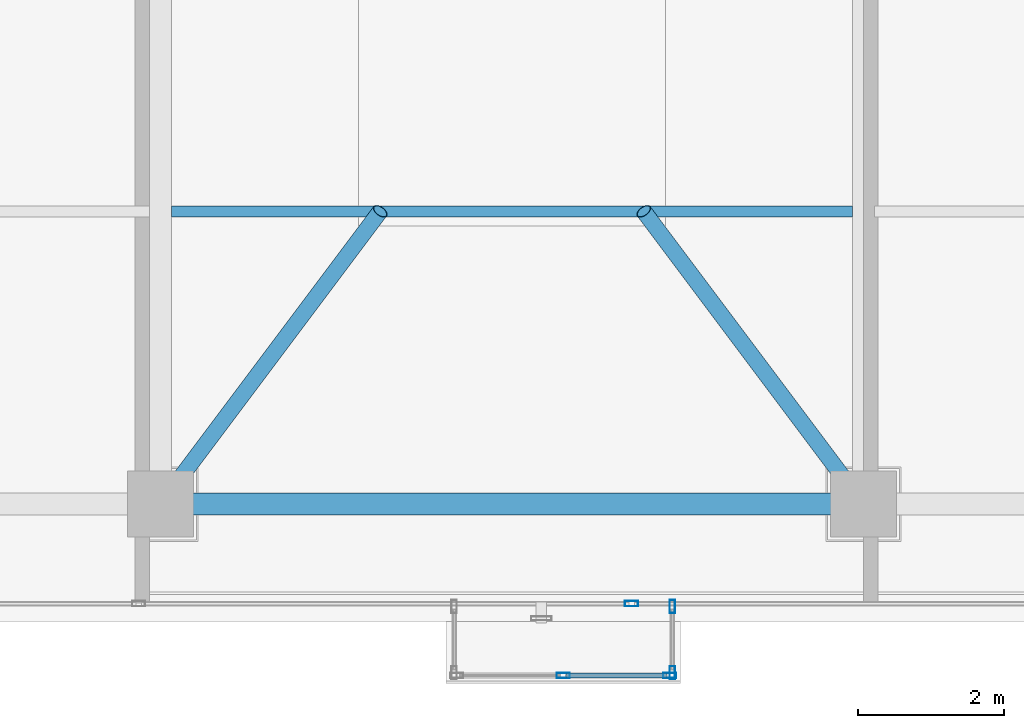
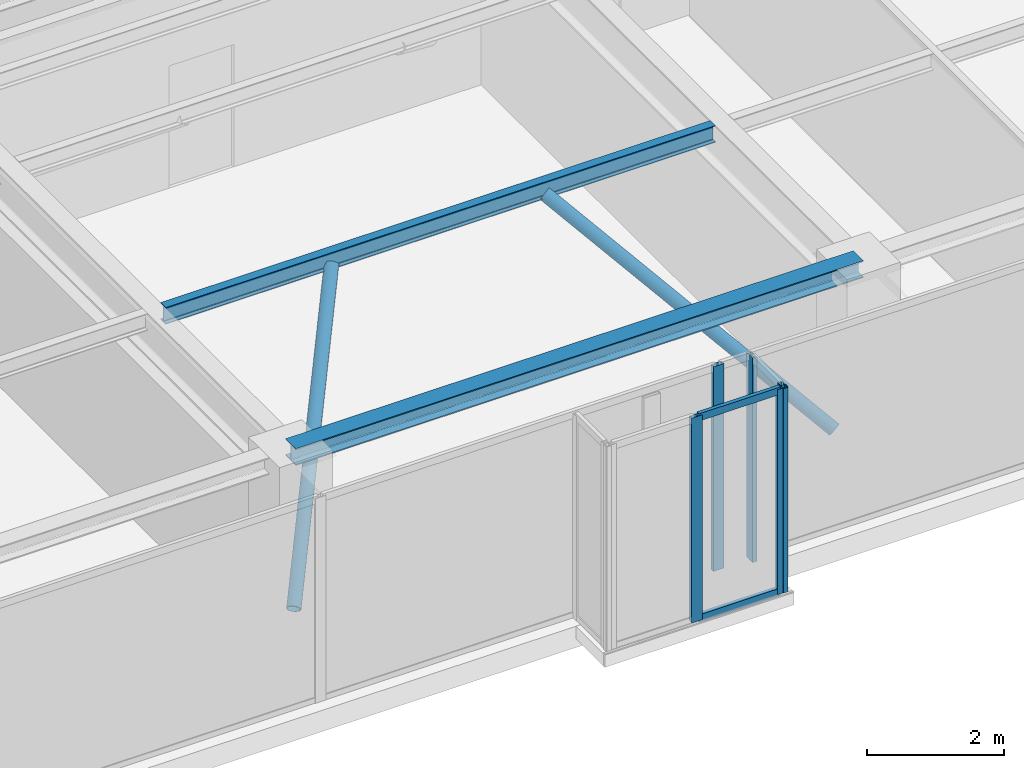
# One storey, part 7 of 31: 9 members, 2 beams, 3 elements without a shape of their own.
"""IFC4 building model written with IfcOpenShell, lengths in metres."""

from ifc_helpers import new_model, si_unit, direction, frame, origin, origin_with_axes, origin_2d, place, context, subcontext, project, spatial, hollow_rectangle, hollow_circle, i_section, extrude, source, transform, mapped, material, layer, layer_set, material_profile, profile_set, type_object, element, aggregate, save


model = new_model("IFC4")

# Units and contexts
model_context = context("Model", 3, precision=1e-05, world=origin(), true_north=direction((0.0, 1.0)))
body_context = subcontext(model_context, "Body", "Model", "MODEL_VIEW")
ifc_project = project(units=[si_unit("LENGTHUNIT", "METRE"), si_unit("AREAUNIT", "SQUARE_METRE"), si_unit("VOLUMEUNIT", "CUBIC_METRE"), si_unit("PLANEANGLEUNIT", "RADIAN"), si_unit("MASSUNIT", "GRAM", prefix="KILO")], contexts=[model_context])

# Site, building, storey
site_placement = place(None, origin())
site = spatial("IfcSite", under=ifc_project, at=site_placement, CompositionType="ELEMENT")
building_placement = place(site_placement, origin())
building = spatial("IfcBuilding", under=site, at=building_placement, Name="Kolvaren Waterfront Exchange", CompositionType="ELEMENT")
storey_placement = place(building_placement, frame((0.0, 0.0, 344.199951171875)))
storey = spatial("IfcBuildingStorey", under=building, at=storey_placement, Name="L88", CompositionType="ELEMENT", Elevation=344.199951171875)

# Beams
ifc_material_1 = material(Name="Steel S355", Category="steel")
ifc_material_profile_1 = material_profile(ifc_material_1, i_section(OverallWidth=0.300048828125, OverallDepth=0.300048828125, WebThickness=0.010986328125, FlangeThickness=0.01904296875, FilletRadius=0.027099609375, at=origin_2d()), Name="HEB300")
ifc_profile_set_1 = profile_set([ifc_material_profile_1], Name="Steel S355")
beam_type_1 = type_object("IfcBeamType", Name="STR-BM-HEB300", PredefinedType="SPANDREL", material=ifc_profile_set_1)
beam_1_placement = place(storey_placement, frame((27.199951171875, 5.199951171875, 3.510009765625), z_axis=(1.0, 0.0, 0.0), x_axis=(0.0, 1.0, 0.0)))
element("IfcBeam", 1, at=beam_1_placement, inside=storey, type_object=beam_type_1, Name="L88 east-arm spandrel S2", PredefinedType="SPANDREL", context=body_context, shape_type="SweptSolid", body=[
    extrude(i_section(OverallWidth=0.300048828125, OverallDepth=0.300048828125, WebThickness=0.010986328125, FlangeThickness=0.01904296875, FilletRadius=0.027099609375, at=origin_2d()), origin(), (0.0, 0.0, 1.0), 9.60009765625),
])
ifc_material_profile_2 = material_profile(ifc_material_1, i_section(OverallWidth=0.14990234375, OverallDepth=0.300048828125, WebThickness=0.007080078125, FlangeThickness=0.0107421875, FilletRadius=0.014892578125, at=origin_2d()), Name="IPE300")
ifc_profile_set_2 = profile_set([ifc_material_profile_2], Name="Steel S355")
beam_type_2 = type_object("IfcBeamType", Name="STR-BM-IPE300", PredefinedType="JOIST", material=ifc_profile_set_2)
beam_2_placement = place(storey_placement, frame((27.35205078125, 9.199951171875, 3.510009765625), z_axis=(1.0, 0.0, 0.0), x_axis=(0.0, 1.0, 0.0)))
element("IfcBeam", 2, at=beam_2_placement, inside=storey, type_object=beam_type_2, Name="L88 east-arm composite joist 2B", PredefinedType="JOIST", context=body_context, shape_type="SweptSolid", body=[
    extrude(i_section(OverallWidth=0.14990234375, OverallDepth=0.300048828125, WebThickness=0.007080078125, FlangeThickness=0.0107421875, FilletRadius=0.014892578125, at=origin_2d()), origin(), (0.0, 0.0, 1.0), 9.2958984375),
])

# Members
ifc_material_2 = material(Name="Steel S460", Category="steel")
ifc_material_profile_3 = material_profile(ifc_material_2, hollow_circle(Radius=0.109619140625, WallThickness=0.010009765625, at=origin_2d()), Name="CHS219.1x10")
ifc_profile_set_3 = profile_set([ifc_material_profile_3], Name="Steel S460")
member_type_1 = type_object("IfcMemberType", Name="STR-ST-CHS219", PredefinedType="STRUT", material=ifc_profile_set_3)
for number, where, z_axis, x_axis, name in (
    (3, (27.427490234375, 5.503173828125, 0.442626953125), (0.505341423645, 0.673818231493, 0.539072385174), (-0.800012679985, 0.599983092981, 0.0), "Crown TUNED MASS DAMPER hydraulic damper strut 1"),
    (4, (36.572509765625, 5.503173828125, 0.442626953125), (-0.505341423645, 0.673818231493, 0.539072385174), (-0.800012679985, -0.599983092981, 0.0), "Crown TUNED MASS DAMPER hydraulic damper strut 2"),
):
    element("IfcMember", number, at=place(storey_placement, frame(where, z_axis=z_axis, x_axis=x_axis)), inside=storey, type_object=member_type_1, Name=name, PredefinedType="STRUT", context=body_context, shape_type="SweptSolid", body=[
        extrude(hollow_circle(Radius=0.109619140625, WallThickness=0.010009765625, at=origin_2d()), origin(), (0.0, 0.0, 1.0), 5.486328125),
    ])

# Curtain wall, members
ifc_material_3 = material(Name="Anodised bronze aluminium 6063-T6", Category="aluminium")
ifc_layer_1 = layer(ifc_material_3, 0.219970703125, Name="Anodised bronze aluminium 6063-T6")
ifc_layer_set_1 = layer_set([ifc_layer_1], Name="Anodised bronze aluminium 6063-T6")
curtain_wall_type_1 = type_object("IfcCurtainWallType", Name="ARC-CW-SYS3", PredefinedType="USERDEFINED", material=ifc_layer_set_1)
curtain_wall_1_placement = place(storey_placement, origin())
curtain_wall_1 = element("IfcCurtainWall", 5, at=curtain_wall_1_placement, inside=storey, type_object=curtain_wall_type_1, Name="L88 stick curtain wall CW3 (CW-L88-BOX)", ObjectType="STICK CURTAIN WALL", PredefinedType="USERDEFINED")
ifc_material_profile_4 = material_profile(ifc_material_3, hollow_rectangle(XDim=0.06494140625, YDim=0.1298828125, WallThickness=0.00390625, at=origin_2d()), Name="ALU-TRN-130x65x4")
ifc_profile_set_4 = profile_set([ifc_material_profile_4], Name="Anodised bronze aluminium 6063-T6")
member_type_2 = type_object("IfcMemberType", Name="ARC-CWT-130", PredefinedType="USERDEFINED", material=ifc_profile_set_4)
shared_shape_1 = source(origin_with_axes(), body_context, "Body", "SweptSolid", [
    extrude(hollow_rectangle(XDim=0.06494140625, YDim=0.1298828125, WallThickness=0.00390625, at=origin_2d()), origin(), (0.0, 0.0, 1.0), 1.37744140625),
])
member_1_placement = place(storey_placement, frame((32.737548828125, 2.860107421875, 0.032470703125), z_axis=(1.0, 0.0, 0.0), x_axis=(0.0, 1.0, 0.0)))
member_1 = element("IfcMember", 6, at=member_1_placement, type_object=member_type_2, Name="CW3 transom 2.1", ObjectType="TRANSOM", PredefinedType="USERDEFINED", context=body_context, shape_type="MappedRepresentation", body=[
    mapped(shared_shape_1, transform((0.0, 0.0, 0.0), x_axis=(1.0, 0.0, 0.0), y_axis=(0.0, 1.0, 0.0), z_axis=(0.0, 0.0, 1.0), scale=1.0)),
])
member_2_placement = place(storey_placement, frame((32.737548828125, 2.860107421875, 3.62744140625), z_axis=(1.0, 0.0, 0.0), x_axis=(0.0, 1.0, 0.0)))
member_2 = element("IfcMember", 7, at=member_2_placement, type_object=member_type_2, Name="CW3 transom 2.2", ObjectType="TRANSOM", PredefinedType="USERDEFINED", context=body_context, shape_type="MappedRepresentation", body=[
    mapped(shared_shape_1, transform((0.0, 0.0, 0.0), x_axis=(1.0, 0.0, 0.0), y_axis=(0.0, 1.0, 0.0), z_axis=(0.0, 0.0, 1.0), scale=1.0)),
])
ifc_material_profile_5 = material_profile(ifc_material_3, hollow_rectangle(XDim=0.074951171875, YDim=0.179931640625, WallThickness=0.00439453125, at=origin_2d()), Name="ALU-MUL-180x75x4.5")
ifc_profile_set_5 = profile_set([ifc_material_profile_5], Name="Anodised bronze aluminium 6063-T6")
member_type_3 = type_object("IfcMemberType", Name="ARC-CWM-180", PredefinedType="MULLION", material=ifc_profile_set_5)
shared_shape_2 = source(origin_with_axes(), body_context, "Body", "SweptSolid", [
    extrude(hollow_rectangle(XDim=0.074951171875, YDim=0.179931640625, WallThickness=0.00439453125, at=origin_2d()), origin(), (0.0, 0.0, 1.0), 3.66015625),
])
member_3_placement = place(storey_placement, frame((32.699951171875, 2.860107421875, 0.0), z_axis=(0.0, 0.0, 1.0), x_axis=(0.0, 1.0, 0.0)))
member_3 = element("IfcMember", 8, at=member_3_placement, type_object=member_type_3, Name="CW3 mullion 2", PredefinedType="MULLION", context=body_context, shape_type="MappedRepresentation", body=[
    mapped(shared_shape_2, transform((0.0, 0.0, 0.0), x_axis=(1.0, 0.0, 0.0), y_axis=(0.0, 1.0, 0.0), z_axis=(0.0, 0.0, 1.0), scale=1.0)),
])
member_4_placement = place(storey_placement, frame((34.152587890625, 2.860107421875, 0.0), z_axis=(0.0, 0.0, 1.0), x_axis=(0.0, 1.0, 0.0)))
member_4 = element("IfcMember", 9, at=member_4_placement, type_object=member_type_3, Name="CW3 mullion 3", PredefinedType="MULLION", context=body_context, shape_type="MappedRepresentation", body=[
    mapped(shared_shape_2, transform((0.0, 0.0, 0.0), x_axis=(1.0, 0.0, 0.0), y_axis=(0.0, 1.0, 0.0), z_axis=(0.0, 0.0, 1.0), scale=1.0)),
])
aggregate(curtain_wall_1, [member_3, member_4, member_1, member_2])

curtain_wall_2_placement = place(storey_placement, origin())
curtain_wall_2 = element("IfcCurtainWall", 10, at=curtain_wall_2_placement, inside=storey, type_object=curtain_wall_type_1, Name="L88 stick curtain wall CW3 (CW-L88-BOX-E)", ObjectType="STICK CURTAIN WALL", PredefinedType="USERDEFINED")
member_5_placement = place(storey_placement, frame((34.18994140625, 2.8974609375, 0.0), z_axis=(0.0, 0.0, 1.0), x_axis=(-1.0, 0.0, 0.0)))
member_5 = element("IfcMember", 11, at=member_5_placement, type_object=member_type_3, Name="CW3 mullion 1", PredefinedType="MULLION", context=body_context, shape_type="MappedRepresentation", body=[
    mapped(shared_shape_2, transform((0.0, 0.0, 0.0), x_axis=(1.0, 0.0, 0.0), y_axis=(0.0, 1.0, 0.0), z_axis=(0.0, 0.0, 1.0), scale=1.0)),
])
member_6_placement = place(storey_placement, frame((34.18994140625, 3.802490234375, 0.0), z_axis=(0.0, 0.0, 1.0), x_axis=(-1.0, 0.0, 0.0)))
member_6 = element("IfcMember", 12, at=member_6_placement, type_object=member_type_3, Name="CW3 mullion 2", PredefinedType="MULLION", context=body_context, shape_type="MappedRepresentation", body=[
    mapped(shared_shape_2, transform((0.0, 0.0, 0.0), x_axis=(1.0, 0.0, 0.0), y_axis=(0.0, 1.0, 0.0), z_axis=(0.0, 0.0, 1.0), scale=1.0)),
])
aggregate(curtain_wall_2, [member_5, member_6])

# Curtain wall, member
ifc_layer_2 = layer(ifc_material_3, 0.219970703125, Name="Anodised bronze aluminium 6063-T6")
ifc_layer_set_2 = layer_set([ifc_layer_2], Name="Anodised bronze aluminium 6063-T6")
curtain_wall_type_2 = type_object("IfcCurtainWallType", Name="ARC-CW-SYS5", PredefinedType="USERDEFINED", material=ifc_layer_set_2)
curtain_wall_3_placement = place(storey_placement, origin())
curtain_wall_3 = element("IfcCurtainWall", 13, at=curtain_wall_3_placement, inside=storey, type_object=curtain_wall_type_2, Name="L88 stick curtain wall CW5 (CW-L88-S)", ObjectType="STICK CURTAIN WALL", PredefinedType="USERDEFINED")
member_7_placement = place(storey_placement, frame((33.63330078125, 3.840087890625, 0.0), z_axis=(0.0, 0.0, 1.0), x_axis=(0.0, 1.0, 0.0)))
member_7 = element("IfcMember", 14, at=member_7_placement, type_object=member_type_3, Name="CW5 mullion 5", PredefinedType="MULLION", context=body_context, shape_type="MappedRepresentation", body=[
    mapped(shared_shape_2, transform((0.0, 0.0, 0.0), x_axis=(1.0, 0.0, 0.0), y_axis=(0.0, 1.0, 0.0), z_axis=(0.0, 0.0, 1.0), scale=1.0)),
])
aggregate(curtain_wall_3, [member_7])

save(model, "model.ifc")
